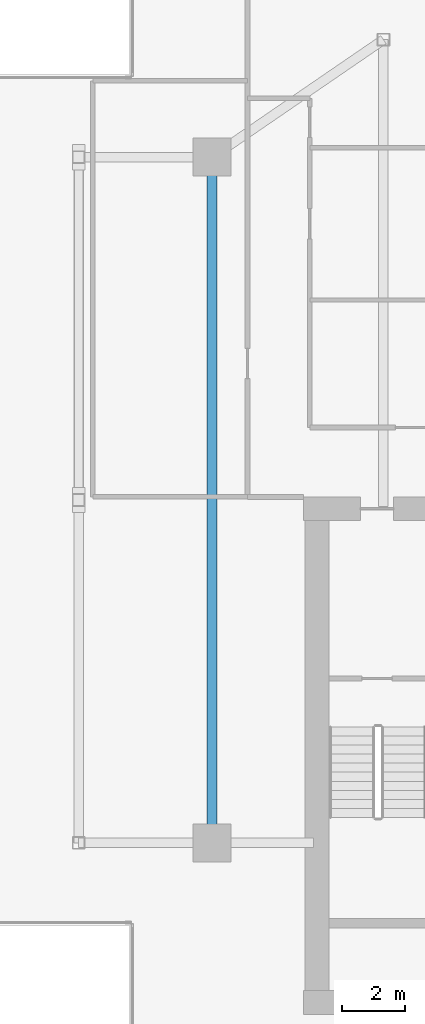
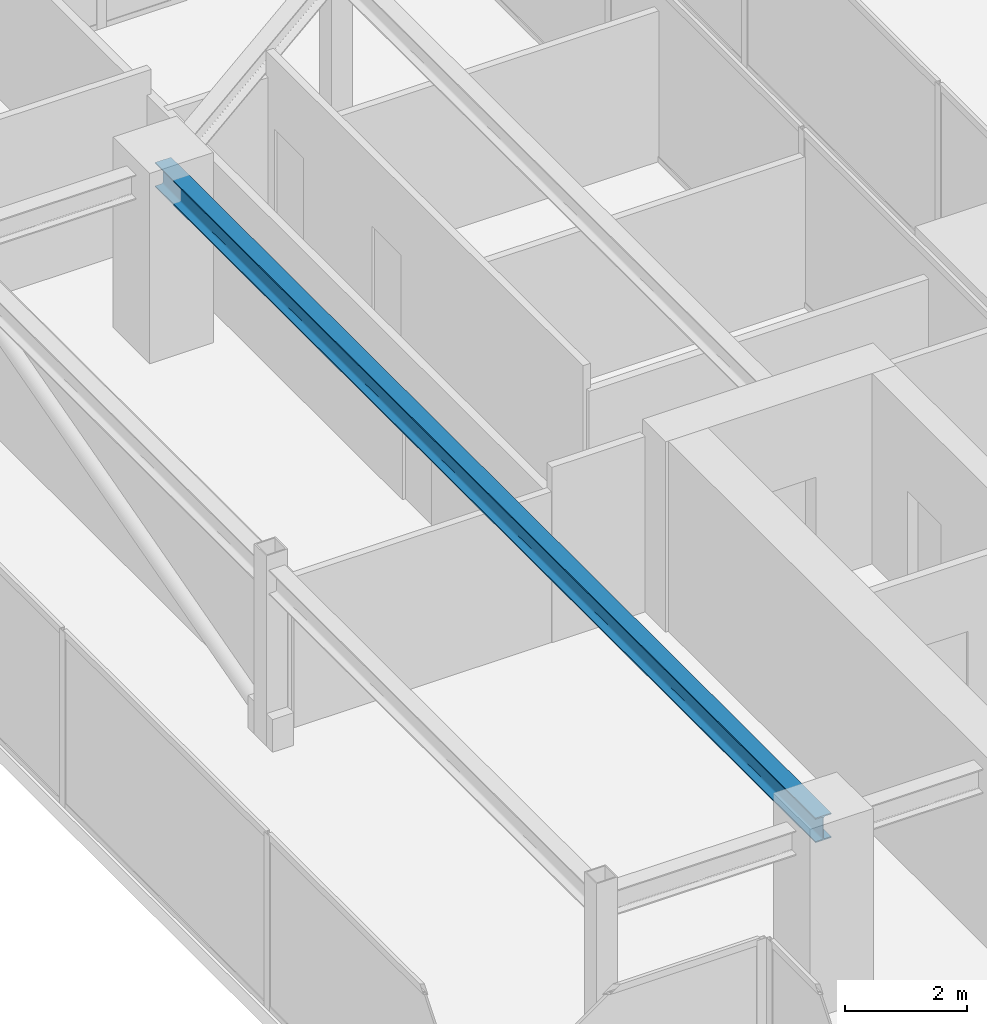
# One storey, part 9 of 25: 1 beam.
"""IFC4 building model written with IfcOpenShell, lengths in metres."""

import ifcopenshell
import ifcopenshell.guid

model = None  # the IFC model being written
_history = None  # IfcOwnerHistory: only IFC2X3 demands one
_inside = {}  # id of a spatial element -> (the spatial element, [elements in it])
_under = {}  # id of a project, library or spatial element -> (it, [spatial elements below it])
_declared = {}  # id of a project -> (the project, [libraries it declares])
_typed = {}  # id of a type object -> (the type object, [elements of that type])
_made_of = {}  # id of a material, layer set ... -> (it, [elements and type objects made of it])


def new_model(schema):
    """Start an empty IFC model of exactly this schema.

    Asked for "IFC4X3", IfcOpenShell would pick the latest addendum, in which some entities
    have other attributes; the version numbers below select the first issue.
    IFC2X3 requires an IfcOwnerHistory on every rooted entity: one is made here for all.
    """
    global model, _history
    if schema == "IFC4X3":
        model = ifcopenshell.file(schema_version=(4, 3, 0, 0))
    else:
        model = ifcopenshell.file(schema=schema)
    _inside.clear()
    _under.clear()
    _declared.clear()
    _typed.clear()
    _made_of.clear()
    _history = None
    if model.schema == "IFC2X3":
        org = make("IfcOrganization", Name="unknown")
        user = make(
            "IfcPersonAndOrganization",
            ThePerson=make("IfcPerson", FamilyName="unknown"),
            TheOrganization=org,
        )
        app = make(
            "IfcApplication",
            ApplicationDeveloper=org,
            Version="unknown",
            ApplicationFullName="unknown",
            ApplicationIdentifier="unknown",
        )
        _history = make(
            "IfcOwnerHistory",
            OwningUser=user,
            OwningApplication=app,
            ChangeAction="ADDED",
            CreationDate=0,
        )
    return model


def make(cls, **values):
    """One entity of the class cls with the attributes given. An attribute that is None is left unset."""
    return model.create_entity(
        cls, **{name: value for name, value in values.items() if value is not None}
    )


def rooted(cls, **values):
    """An entity with a GlobalId (a new one), such as an element, a storey or a relation."""
    return make(cls, GlobalId=ifcopenshell.guid.new(), OwnerHistory=_history, **values)


def si_unit(unit_type, name, prefix=None):
    """IfcSIUnit, for example si_unit("LENGTHUNIT", "METRE", prefix="MILLI")."""
    return make("IfcSIUnit", UnitType=unit_type, Prefix=prefix, Name=name)


def assignment(units):
    """IfcUnitAssignment: the units of a project."""
    return None if units is None else make("IfcUnitAssignment", Units=units)


def point(xyz):
    """IfcCartesianPoint."""
    return None if xyz is None else make("IfcCartesianPoint", Coordinates=xyz)


def direction(xyz):
    """IfcDirection."""
    return None if xyz is None else make("IfcDirection", DirectionRatios=xyz)


def frame(location, z_axis=None, x_axis=None):
    """IfcAxis2Placement3D, a coordinate frame: its origin and axes. An axis left out is left unset."""
    return make(
        "IfcAxis2Placement3D",
        Location=point(location),
        Axis=direction(z_axis),
        RefDirection=direction(x_axis),
    )


def frame_2d(location, x_axis=None):
    """IfcAxis2Placement2D, a coordinate frame in the plane: its origin and x axis."""
    return make(
        "IfcAxis2Placement2D", Location=point(location), RefDirection=direction(x_axis)
    )


def origin():
    """The frame at (0, 0, 0) with its axes left unset."""
    return frame((0.0, 0.0, 0.0))


def origin_2d():
    """The frame at (0, 0) in the plane with its x axis left unset."""
    return frame_2d((0.0, 0.0))


def place(relative_to, where):
    """IfcLocalPlacement: puts the frame where relative to a parent placement (None: the world)."""
    return make(
        "IfcLocalPlacement", PlacementRelTo=relative_to, RelativePlacement=where
    )


def context(
    kind, dimensions, precision=None, world=None, true_north=None, identifier=None
):
    """IfcGeometricRepresentationContext, for example the 3D "Model" context."""
    return make(
        "IfcGeometricRepresentationContext",
        ContextIdentifier=identifier,
        ContextType=kind,
        CoordinateSpaceDimension=dimensions,
        Precision=precision,
        WorldCoordinateSystem=world,
        TrueNorth=true_north,
    )


def subcontext(parent, identifier, kind, view, scale=None):
    """IfcGeometricRepresentationSubContext, for example "Body" below "Model"."""
    return make(
        "IfcGeometricRepresentationSubContext",
        ContextIdentifier=identifier,
        ContextType=kind,
        ParentContext=parent,
        TargetScale=scale,
        TargetView=view,
    )


def project(units=None, contexts=None):
    """IfcProject with its units and contexts."""
    return rooted(
        "IfcProject",
        Name="project",
        RepresentationContexts=contexts,
        UnitsInContext=assignment(units),
    )


def spatial(cls, under=None, at=None, **own):
    """A site, building, storey or space (cls), placed at a placement, below another one or the project."""
    s = rooted(cls, ObjectPlacement=at, **own)
    if under is not None:
        _under.setdefault(under.id(), (under, []))[1].append(s)
    return s


def profile(cls, at=None, kind="AREA", **sizes):
    """A parametric profile (cls). Its sizes go by their IFC names, for example OverallWidth=200.0."""
    return make(cls, ProfileType=kind, Position=at, **sizes)


def i_section(**sizes):
    """IfcIShapeProfileDef."""
    return profile("IfcIShapeProfileDef", **sizes)


def extrude(swept, where, along, depth):
    """IfcExtrudedAreaSolid: the profile swept, set in the frame where, extruded along a direction by depth."""
    return make(
        "IfcExtrudedAreaSolid",
        SweptArea=swept,
        Position=where,
        ExtrudedDirection=direction(along),
        Depth=depth,
    )


def shape(context_of_items, identifier, shape_type, items):
    """IfcShapeRepresentation: the items that make up one representation, for example the "Body"."""
    return make(
        "IfcShapeRepresentation",
        ContextOfItems=context_of_items,
        RepresentationIdentifier=identifier,
        RepresentationType=shape_type,
        Items=items,
    )


def source(mapping_origin, context_of_items, identifier, shape_type, items):
    """IfcRepresentationMap: a shape defined once, which mapped items show again and again."""
    return make(
        "IfcRepresentationMap",
        MappingOrigin=mapping_origin,
        MappedRepresentation=shape(context_of_items, identifier, shape_type, items),
    )


def transform(
    local_origin,
    x_axis=None,
    y_axis=None,
    z_axis=None,
    scale=None,
    scale2=None,
    scale3=None,
    uniform=True,
):
    """IfcCartesianTransformationOperator3D, or its non-uniform kind. x_axis, y_axis, z_axis: its Axis1, 2, 3."""
    if uniform:
        return make(
            "IfcCartesianTransformationOperator3D",
            Axis1=direction(x_axis),
            Axis2=direction(y_axis),
            LocalOrigin=point(local_origin),
            Scale=scale,
            Axis3=direction(z_axis),
        )
    return make(
        "IfcCartesianTransformationOperator3DnonUniform",
        Axis1=direction(x_axis),
        Axis2=direction(y_axis),
        LocalOrigin=point(local_origin),
        Scale=scale,
        Axis3=direction(z_axis),
        Scale2=scale2,
        Scale3=scale3,
    )


def mapped(mapping_source, mapping_target):
    """IfcMappedItem: shows the shape of a source again, moved by a transform."""
    return make(
        "IfcMappedItem", MappingSource=mapping_source, MappingTarget=mapping_target
    )


def material(Name=None, Category=None):
    """IfcMaterial."""
    return make("IfcMaterial", Name=Name, Category=Category)


def material_profile(
    of_material, cross_section, Name=None, Category=None, Priority=None
):
    """IfcMaterialProfile: a cross section and its material."""
    return make(
        "IfcMaterialProfile",
        Name=Name,
        Material=of_material,
        Profile=cross_section,
        Priority=Priority,
        Category=Category,
    )


def profile_set(profiles, Name=None, composite=None):
    """IfcMaterialProfileSet."""
    return make(
        "IfcMaterialProfileSet",
        Name=Name,
        MaterialProfiles=profiles,
        CompositeProfile=composite,
    )


def made_of(thing, what):
    """Note that an element or type object is made of a material, layer set ...; save() writes the relation."""
    if what is not None:
        _made_of.setdefault(what.id(), (what, []))[1].append(thing)
    return thing


def type_object(cls, material=None, **own):
    """A type object (cls), such as IfcWallType, which elements share."""
    return made_of(rooted(cls, **own), material)


def type_shapes(of_type, sources):
    """Give a type object the sources (RepresentationMaps) that its elements show as mapped items."""
    of_type.RepresentationMaps = sources


def element(
    cls,
    number,
    at=None,
    inside=None,
    cuts=None,
    type_object=None,
    material=None,
    context=None,
    identifier="Body",
    shape_type=None,
    held_by="IfcProductDefinitionShape",
    body=None,
    shapes=None,
    **own,
):
    """One element of the class cls, such as IfcWall. Its Tag is "e" and its number.

    at: its placement. inside: the storey or other place that contains it. cuts: it is an
    opening in that element (IfcRelVoidsElement). A single representation is given by context,
    identifier, shape_type and body (its items); several are given by shapes. held_by: the class
    of the entity that holds the representations. save() writes the other relations.
    """
    e = rooted(cls, Tag="e%d" % number, ObjectPlacement=at, **own)
    if body is not None:
        shapes = [shape(context, identifier, shape_type, body)]
    if shapes is not None:
        e.Representation = make(held_by, Representations=shapes)
    if inside is not None:
        _inside.setdefault(inside.id(), (inside, []))[1].append(e)
    if cuts is not None:
        rooted(
            "IfcRelVoidsElement", RelatingBuildingElement=cuts, RelatedOpeningElement=e
        )
    if type_object is not None:
        _typed.setdefault(type_object.id(), (type_object, []))[1].append(e)
    return made_of(e, material)


def aggregate(whole, parts):
    """IfcRelAggregates: a whole, such as a stair, and the parts it consists of."""
    return rooted("IfcRelAggregates", RelatingObject=whole, RelatedObjects=parts)


def save(model, path):
    """Write the relations noted so far, then the file.

    IfcRelAggregates (storeys below a building ...), IfcRelContainedInSpatialStructure (elements
    in a storey), IfcRelDefinesByType, IfcRelAssociatesMaterial and IfcRelDeclares: one each for
    every whole, place, type object, material and project.
    """
    for whole, parts in _under.values():
        aggregate(whole, parts)
    for where, things in _inside.values():
        rooted(
            "IfcRelContainedInSpatialStructure",
            RelatedElements=things,
            RelatingStructure=where,
        )
    for kind, things in _typed.values():
        rooted("IfcRelDefinesByType", RelatedObjects=things, RelatingType=kind)
    for what, things in _made_of.values():
        rooted("IfcRelAssociatesMaterial", RelatedObjects=things, RelatingMaterial=what)
    for by, libraries in _declared.values():
        rooted("IfcRelDeclares", RelatingContext=by, RelatedDefinitions=libraries)
    model.write(path)


model = new_model("IFC4")

# Units and contexts
model_context = context("Model", 3, precision=1e-05, world=origin(), true_north=direction((0.0, 1.0)))
body_context = subcontext(model_context, "Body", "Model", "MODEL_VIEW")
ifc_project = project(units=[si_unit("LENGTHUNIT", "METRE"), si_unit("AREAUNIT", "SQUARE_METRE"), si_unit("VOLUMEUNIT", "CUBIC_METRE"), si_unit("PLANEANGLEUNIT", "RADIAN"), si_unit("MASSUNIT", "GRAM", prefix="KILO")], contexts=[model_context])

# Site, building, storey
site_placement = place(None, origin())
site = spatial("IfcSite", under=ifc_project, at=site_placement, CompositionType="ELEMENT")
building_placement = place(site_placement, origin())
building = spatial("IfcBuilding", under=site, at=building_placement, Name="Krantzveldt Concourse Tower", CompositionType="ELEMENT")
storey_placement = place(building_placement, frame((0.0, 0.0, 367.050048828125)))
storey = spatial("IfcBuildingStorey", under=building, at=storey_placement, Name="L90", CompositionType="ELEMENT", Elevation=367.050048828125)

# Beam
ifc_material = material(Name="Steel S355JR", Category="steel")
ifc_material_profile = material_profile(ifc_material, i_section(OverallWidth=0.300048828125, OverallDepth=0.489990234375, WebThickness=0.011962890625, FlangeThickness=0.02294921875, FilletRadius=0.027099609375, at=origin_2d()), Name="Steel S355JR", Category="steel")
ifc_profile_set = profile_set([ifc_material_profile], Name="Steel S355JR - HEA 500")
beam_type = type_object("IfcBeamType", Name="BM-B-HEA500", PredefinedType="BEAM", material=ifc_profile_set)
shared_shape = source(origin(), body_context, "Body", "SweptSolid", [
    extrude(i_section(OverallWidth=0.300048828125, OverallDepth=0.489990234375, WebThickness=0.011962890625, FlangeThickness=0.02294921875, FilletRadius=0.027099609375, at=origin_2d()), origin(), (0.0, 0.0, 1.0), 21.60009765625),
])
type_shapes(beam_type, [shared_shape])
beam_placement = place(storey_placement, frame((25.199951171875, 15.89990234375, 3.2548828125), z_axis=(0.0, 1.0, 0.0), x_axis=(-1.0, 0.0, 0.0)))
element("IfcBeam", 1, at=beam_placement, inside=storey, type_object=beam_type, Name="L90 Crown Girder WEST-8", PredefinedType="BEAM", context=body_context, shape_type="MappedRepresentation", body=[
    mapped(shared_shape, transform((0.0, 0.0, 0.0), x_axis=(1.0, 0.0, 0.0), y_axis=(0.0, 1.0, 0.0), z_axis=(0.0, 0.0, 1.0), scale=1.0)),
])

save(model, "model.ifc")
